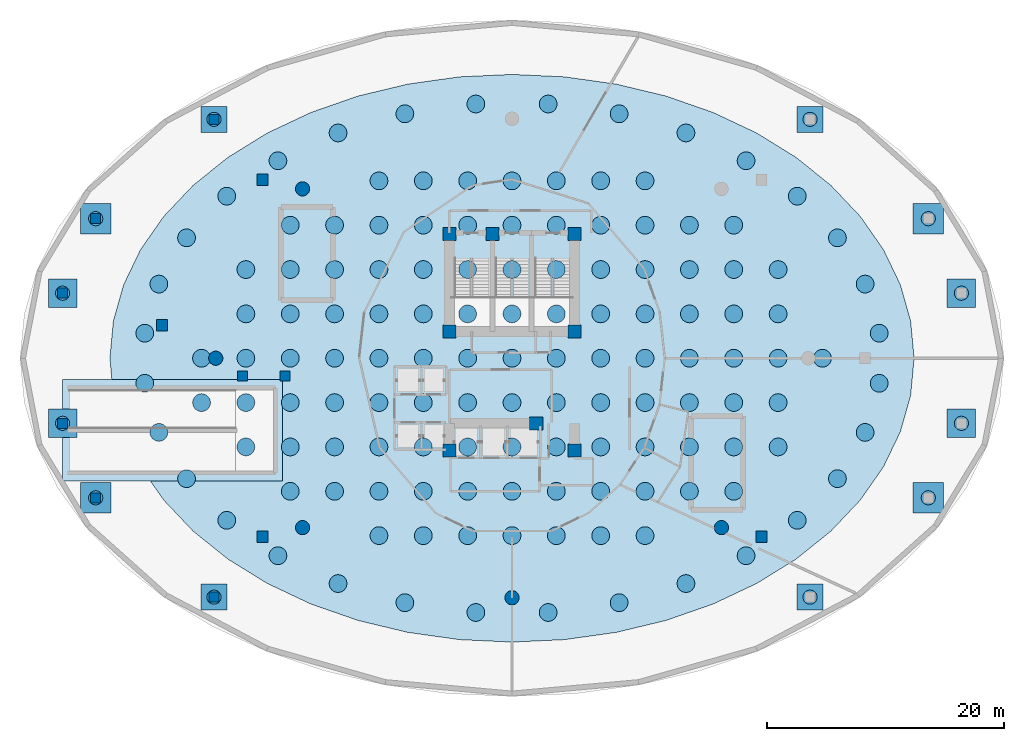
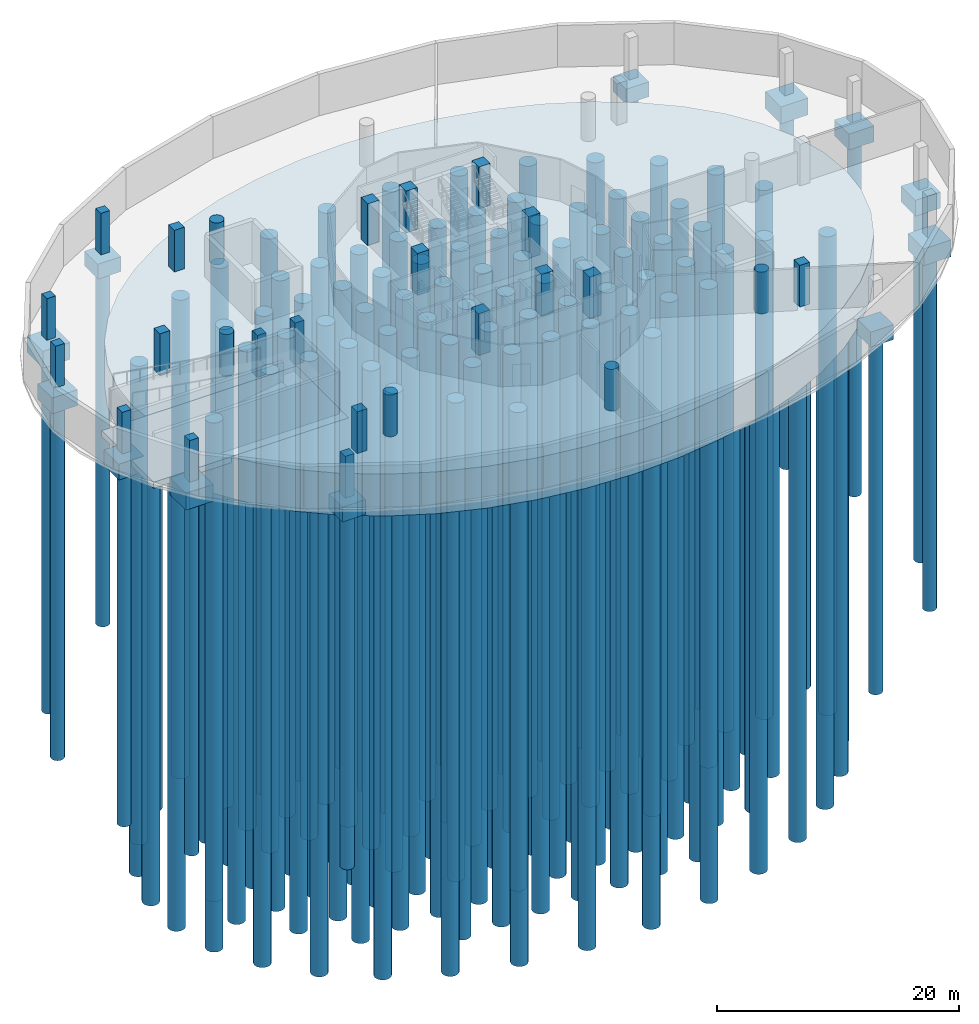
# One storey, part 1 of 9: 148 piles, 25 columns, 14 footings.
"""IFC4 building model written with IfcOpenShell, lengths in metres."""

from ifc_helpers import new_model, si_unit, direction, frame, origin, origin_2d, place, context, subcontext, project, spatial, polyline, rectangle, circle, outline, extrude, material, layer, layer_set, material_profile, profile_set, type_object, element, save


model = new_model("IFC4")

# Units and contexts
model_context = context("Model", 3, precision=1e-05, world=origin(), true_north=direction((0.0, 1.0)))
body_context = subcontext(model_context, "Body", "Model", "MODEL_VIEW")
ifc_project = project(units=[si_unit("LENGTHUNIT", "METRE"), si_unit("AREAUNIT", "SQUARE_METRE"), si_unit("VOLUMEUNIT", "CUBIC_METRE"), si_unit("PLANEANGLEUNIT", "RADIAN"), si_unit("MASSUNIT", "GRAM", prefix="KILO")], contexts=[model_context])

# Site, building, storey
site_placement = place(None, origin())
site = spatial("IfcSite", under=ifc_project, at=site_placement, CompositionType="ELEMENT")
building_placement = place(site_placement, origin())
building = spatial("IfcBuilding", under=site, at=building_placement, Name="Nuhasar Tower", CompositionType="ELEMENT")
storey_placement = place(building_placement, frame((0.0, 0.0, -9.0)))
storey = spatial("IfcBuildingStorey", under=building, at=storey_placement, Name="B2", CompositionType="ELEMENT", Elevation=-9.0)

# Footings
ifc_material_1 = material(Name="Concrete C50/60", Category="concrete")
ifc_layer_1 = layer(ifc_material_1, 4.219970703125)
ifc_layer_set_1 = layer_set([ifc_layer_1], Name="Concrete C50/60")
footing_type_1 = type_object("IfcFootingType", Name="FTG-CPRF-4220", PredefinedType="CAISSON_FOUNDATION", material=ifc_layer_set_1)
footing_1_placement = place(storey_placement, frame((0.0, 0.0, -4.5)))
element("IfcFooting", 1, at=footing_1_placement, inside=storey, type_object=footing_type_1, Name="Combined Piled Raft Foundation CPRF-01", PredefinedType="CAISSON_FOUNDATION", context=body_context, shape_type="SweptSolid", body=[
    extrude(outline(polyline([(73.0, 26.800048828125), (72.708984375, 29.93310546875), (71.841064453125, 33.011962890625), (70.412109375, 35.98388671875), (68.445068359375, 38.800048828125), (65.97412109375, 41.409912109375), (63.0419921875, 43.77099609375), (59.697998046875, 45.840087890625), (56.0, 47.5849609375), (52.010986328125, 48.972900390625), (47.800048828125, 49.98193359375), (43.43798828125, 50.594970703125), (39.0, 50.800048828125), (34.56201171875, 50.594970703125), (30.199951171875, 49.98193359375), (25.989013671875, 48.972900390625), (22.0, 47.5849609375), (18.302001953125, 45.840087890625), (14.9580078125, 43.77099609375), (12.02587890625, 41.409912109375), (9.554931640625, 38.800048828125), (7.587890625, 35.98388671875), (6.158935546875, 33.011962890625), (5.291015625, 29.93310546875), (5.0, 26.800048828125), (5.291015625, 23.6669921875), (6.158935546875, 20.587890625), (7.587890625, 17.615966796875), (9.554931640625, 14.800048828125), (12.02587890625, 12.18994140625), (14.9580078125, 9.8291015625), (18.302001953125, 7.760009765625), (22.0, 6.014892578125), (25.989013671875, 4.626953125), (30.199951171875, 3.617919921875), (34.56201171875, 3.0048828125), (39.0, 2.800048828125), (43.43798828125, 3.0048828125), (47.800048828125, 3.617919921875), (52.010986328125, 4.626953125), (56.0, 6.014892578125), (59.697998046875, 7.760009765625), (63.0419921875, 9.8291015625), (65.97412109375, 12.18994140625), (68.445068359375, 14.800048828125), (70.412109375, 17.615966796875), (71.841064453125, 20.587890625), (72.708984375, 23.6669921875), (73.0, 26.800048828125)])), origin(), (0.0, 0.0, 1.0), 4.219970703125),
])
ifc_layer_2 = layer(ifc_material_1, 1.5)
ifc_layer_set_2 = layer_set([ifc_layer_2], Name="Concrete C50/60")
footing_type_2 = type_object("IfcFootingType", Name="FTG-PC-2200X1500", PredefinedType="PILE_CAP", material=ifc_layer_set_2)
for number, where, z_axis, x_axis, name in (
    (2, (13.800048828125, 6.60009765625, -1.780029296875), (0.0, 0.0, 1.0), (1.0, 0.0, 0.0), "Podium Pile Cap PC-03"),
    (3, (64.199951171875, 6.60009765625, -1.780029296875), (0.0, 0.0, 1.0), (1.0, 0.0, 0.0), "Podium Pile Cap PC-06"),
    (4, (64.199951171875, 47.0, -1.780029296875), (0.0, 0.0, 1.0), (1.0, 0.0, 0.0), "Podium Pile Cap PC-09"),
    (5, (13.800048828125, 47.0, -1.780029296875), (0.0, 0.0, 1.0), (1.0, 0.0, 0.0), "Podium Pile Cap PC-12"),
):
    element("IfcFooting", number, at=place(storey_placement, frame(where, z_axis=z_axis, x_axis=x_axis)), inside=storey, type_object=footing_type_2, Name=name, PredefinedType="PILE_CAP", context=body_context, shape_type="SweptSolid", body=[
        extrude(rectangle(XDim=2.199951171875, YDim=2.199951171875, at=origin_2d()), origin(), (0.0, 0.0, 1.0), 1.5),
    ])
ifc_layer_3 = layer(ifc_material_1, 1.60009765625)
ifc_layer_set_3 = layer_set([ifc_layer_3], Name="Concrete C50/60")
footing_type_3 = type_object("IfcFootingType", Name="FTG-PC-2400X1600", PredefinedType="PILE_CAP", material=ifc_layer_set_3)
for number, where, z_axis, x_axis, name in (
    (6, (1.0, 21.300048828125, -1.880126953125), (0.0, 0.0, 1.0), (1.0, 0.0, 0.0), "Podium Pile Cap PC-01"),
    (7, (77.0, 21.300048828125, -1.880126953125), (0.0, 0.0, 1.0), (1.0, 0.0, 0.0), "Podium Pile Cap PC-04"),
    (8, (77.0, 32.300048828125, -1.880126953125), (0.0, 0.0, 1.0), (1.0, 0.0, 0.0), "Podium Pile Cap PC-07"),
    (9, (1.0, 32.300048828125, -1.880126953125), (0.0, 0.0, 1.0), (1.0, 0.0, 0.0), "Podium Pile Cap PC-10"),
):
    element("IfcFooting", number, at=place(storey_placement, frame(where, z_axis=z_axis, x_axis=x_axis)), inside=storey, type_object=footing_type_3, Name=name, PredefinedType="PILE_CAP", context=body_context, shape_type="SweptSolid", body=[
        extrude(rectangle(XDim=2.39990234375, YDim=2.39990234375, at=origin_2d()), origin(), (0.0, 0.0, 1.0), 1.60009765625),
    ])
ifc_layer_4 = layer(ifc_material_1, 1.699951171875)
ifc_layer_set_4 = layer_set([ifc_layer_4], Name="Concrete C50/60")
footing_type_4 = type_object("IfcFootingType", Name="FTG-PC-2600X1700", PredefinedType="PILE_CAP", material=ifc_layer_set_4)
for number, where, z_axis, x_axis, name in (
    (10, (3.800048828125, 15.0, -1.97998046875), (0.0, 0.0, 1.0), (1.0, 0.0, 0.0), "Podium Pile Cap PC-02"),
    (11, (74.199951171875, 15.0, -1.97998046875), (0.0, 0.0, 1.0), (1.0, 0.0, 0.0), "Podium Pile Cap PC-05"),
    (12, (74.199951171875, 38.60009765625, -1.97998046875), (0.0, 0.0, 1.0), (1.0, 0.0, 0.0), "Podium Pile Cap PC-08"),
    (13, (3.800048828125, 38.60009765625, -1.97998046875), (0.0, 0.0, 1.0), (1.0, 0.0, 0.0), "Podium Pile Cap PC-11"),
):
    element("IfcFooting", number, at=place(storey_placement, frame(where, z_axis=z_axis, x_axis=x_axis)), inside=storey, type_object=footing_type_4, Name=name, PredefinedType="PILE_CAP", context=body_context, shape_type="SweptSolid", body=[
        extrude(rectangle(XDim=2.60009765625, YDim=2.60009765625, at=origin_2d()), origin(), (0.0, 0.0, 1.0), 1.699951171875),
    ])
ifc_material_2 = material(Name="Concrete C40/50", Category="concrete")
ifc_layer_5 = layer(ifc_material_2, 0.60009765625)
ifc_layer_set_5 = layer_set([ifc_layer_5], Name="Concrete C40/50")
footing_type_5 = type_object("IfcFootingType", Name="FTG-STRIP-600", PredefinedType="STRIP_FOOTING", material=ifc_layer_set_5)
footing_2_placement = place(storey_placement, frame((0.0, 0.0, -0.8798828125)))
element("IfcFooting", 14, at=footing_2_placement, inside=storey, type_object=footing_type_5, Name="Substructure Vehicular Ramp Mat Strip Footing", PredefinedType="STRIP_FOOTING", context=body_context, shape_type="SweptSolid", body=[
    extrude(outline(polyline([(1.0, 16.39990234375), (19.60009765625, 16.39990234375), (19.60009765625, 25.0), (1.0, 25.0), (1.0, 16.39990234375)])), origin(), (0.0, 0.0, 1.0), 0.599853515625),
])

# Piles
ifc_material_profile_1 = material_profile(ifc_material_1, circle(Radius=0.75, at=origin_2d()), Name="PILE1500")
ifc_profile_set_1 = profile_set([ifc_material_profile_1], Name="Concrete C50/60")
pile_type_1 = type_object("IfcPileType", Name="PILE-BORED-1500", PredefinedType="BORED", material=ifc_profile_set_1)
for number, where, z_axis, x_axis, name in (
    (15, (70.050048828125, 28.9169921875, -4.199951171875), (0.0, 0.0, -1.0), (1.0, 0.0, 0.0), "Bored Foundation Pile PL-001"),
    (16, (68.85693359375, 33.070068359375, -4.199951171875), (0.0, 0.0, -1.0), (1.0, 0.0, 0.0), "Bored Foundation Pile PL-002"),
    (17, (66.51611328125, 36.98193359375, -4.199951171875), (0.0, 0.0, -1.0), (1.0, 0.0, 0.0), "Bored Foundation Pile PL-003"),
    (18, (63.117919921875, 40.5029296875, -4.199951171875), (0.0, 0.0, -1.0), (1.0, 0.0, 0.0), "Bored Foundation Pile PL-004"),
    (19, (58.79296875, 43.4970703125, -4.199951171875), (0.0, 0.0, -1.0), (1.0, 0.0, 0.0), "Bored Foundation Pile PL-005"),
    (20, (53.7080078125, 45.84912109375, -4.199951171875), (0.0, 0.0, -1.0), (1.0, 0.0, 0.0), "Bored Foundation Pile PL-006"),
    (21, (48.056884765625, 47.469970703125, -4.199951171875), (0.0, 0.0, -1.0), (1.0, 0.0, 0.0), "Bored Foundation Pile PL-007"),
    (22, (42.05810546875, 48.2958984375, -4.199951171875), (0.0, 0.0, -1.0), (1.0, 0.0, 0.0), "Bored Foundation Pile PL-008"),
    (23, (35.94189453125, 48.2958984375, -4.199951171875), (0.0, 0.0, -1.0), (1.0, 0.0, 0.0), "Bored Foundation Pile PL-009"),
    (24, (29.943115234375, 47.469970703125, -4.199951171875), (0.0, 0.0, -1.0), (1.0, 0.0, 0.0), "Bored Foundation Pile PL-010"),
    (25, (24.2919921875, 45.84912109375, -4.199951171875), (0.0, 0.0, -1.0), (1.0, 0.0, 0.0), "Bored Foundation Pile PL-011"),
    (26, (19.20703125, 43.4970703125, -4.199951171875), (0.0, 0.0, -1.0), (1.0, 0.0, 0.0), "Bored Foundation Pile PL-012"),
    (27, (14.882080078125, 40.5029296875, -4.199951171875), (0.0, 0.0, -1.0), (1.0, 0.0, 0.0), "Bored Foundation Pile PL-013"),
    (28, (11.48388671875, 36.98193359375, -4.199951171875), (0.0, 0.0, -1.0), (1.0, 0.0, 0.0), "Bored Foundation Pile PL-014"),
    (29, (9.14306640625, 33.070068359375, -4.199951171875), (0.0, 0.0, -1.0), (1.0, 0.0, 0.0), "Bored Foundation Pile PL-015"),
    (30, (7.949951171875, 28.9169921875, -4.199951171875), (0.0, 0.0, -1.0), (1.0, 0.0, 0.0), "Bored Foundation Pile PL-016"),
    (31, (7.949951171875, 24.68310546875, -4.199951171875), (0.0, 0.0, -1.0), (1.0, 0.0, 0.0), "Bored Foundation Pile PL-017"),
    (32, (9.14306640625, 20.530029296875, -4.199951171875), (0.0, 0.0, -1.0), (1.0, 0.0, 0.0), "Bored Foundation Pile PL-018"),
    (33, (11.48388671875, 16.617919921875, -4.199951171875), (0.0, 0.0, -1.0), (1.0, 0.0, 0.0), "Bored Foundation Pile PL-019"),
    (34, (14.882080078125, 13.096923828125, -4.199951171875), (0.0, 0.0, -1.0), (1.0, 0.0, 0.0), "Bored Foundation Pile PL-020"),
    (35, (19.20703125, 10.10302734375, -4.199951171875), (0.0, 0.0, -1.0), (1.0, 0.0, 0.0), "Bored Foundation Pile PL-021"),
    (36, (24.2919921875, 7.7509765625, -4.199951171875), (0.0, 0.0, -1.0), (1.0, 0.0, 0.0), "Bored Foundation Pile PL-022"),
    (37, (29.943115234375, 6.1298828125, -4.199951171875), (0.0, 0.0, -1.0), (1.0, 0.0, 0.0), "Bored Foundation Pile PL-023"),
    (38, (35.94189453125, 5.303955078125, -4.199951171875), (0.0, 0.0, -1.0), (1.0, 0.0, 0.0), "Bored Foundation Pile PL-024"),
    (39, (42.05810546875, 5.303955078125, -4.199951171875), (0.0, 0.0, -1.0), (1.0, 0.0, 0.0), "Bored Foundation Pile PL-025"),
    (40, (48.056884765625, 6.1298828125, -4.199951171875), (0.0, 0.0, -1.0), (1.0, 0.0, 0.0), "Bored Foundation Pile PL-026"),
    (41, (53.7080078125, 7.7509765625, -4.199951171875), (0.0, 0.0, -1.0), (1.0, 0.0, 0.0), "Bored Foundation Pile PL-027"),
    (42, (58.79296875, 10.10302734375, -4.199951171875), (0.0, 0.0, -1.0), (1.0, 0.0, 0.0), "Bored Foundation Pile PL-028"),
    (43, (63.117919921875, 13.096923828125, -4.199951171875), (0.0, 0.0, -1.0), (1.0, 0.0, 0.0), "Bored Foundation Pile PL-029"),
    (44, (66.51611328125, 16.617919921875, -4.199951171875), (0.0, 0.0, -1.0), (1.0, 0.0, 0.0), "Bored Foundation Pile PL-030"),
    (45, (68.85693359375, 20.530029296875, -4.199951171875), (0.0, 0.0, -1.0), (1.0, 0.0, 0.0), "Bored Foundation Pile PL-031"),
    (46, (70.050048828125, 24.68310546875, -4.199951171875), (0.0, 0.0, -1.0), (1.0, 0.0, 0.0), "Bored Foundation Pile PL-032"),
    (47, (39.0, 26.800048828125, -4.199951171875), (0.0, 0.0, -1.0), (1.0, 0.0, 0.0), "Bored Foundation Pile PL-033"),
    (48, (35.25, 26.800048828125, -4.199951171875), (0.0, 0.0, -1.0), (1.0, 0.0, 0.0), "Bored Foundation Pile PL-034"),
    (49, (42.75, 26.800048828125, -4.199951171875), (0.0, 0.0, -1.0), (1.0, 0.0, 0.0), "Bored Foundation Pile PL-035"),
    (50, (39.0, 23.050048828125, -4.199951171875), (0.0, 0.0, -1.0), (1.0, 0.0, 0.0), "Bored Foundation Pile PL-036"),
    (51, (39.0, 30.550048828125, -4.199951171875), (0.0, 0.0, -1.0), (1.0, 0.0, 0.0), "Bored Foundation Pile PL-037"),
    (52, (35.25, 23.050048828125, -4.199951171875), (0.0, 0.0, -1.0), (1.0, 0.0, 0.0), "Bored Foundation Pile PL-038"),
    (53, (35.25, 30.550048828125, -4.199951171875), (0.0, 0.0, -1.0), (1.0, 0.0, 0.0), "Bored Foundation Pile PL-039"),
    (54, (42.75, 23.050048828125, -4.199951171875), (0.0, 0.0, -1.0), (1.0, 0.0, 0.0), "Bored Foundation Pile PL-040"),
    (55, (42.75, 30.550048828125, -4.199951171875), (0.0, 0.0, -1.0), (1.0, 0.0, 0.0), "Bored Foundation Pile PL-041"),
    (56, (31.5, 26.800048828125, -4.199951171875), (0.0, 0.0, -1.0), (1.0, 0.0, 0.0), "Bored Foundation Pile PL-042"),
    (57, (46.5, 26.800048828125, -4.199951171875), (0.0, 0.0, -1.0), (1.0, 0.0, 0.0), "Bored Foundation Pile PL-043"),
    (58, (31.5, 23.050048828125, -4.199951171875), (0.0, 0.0, -1.0), (1.0, 0.0, 0.0), "Bored Foundation Pile PL-044"),
    (59, (31.5, 30.550048828125, -4.199951171875), (0.0, 0.0, -1.0), (1.0, 0.0, 0.0), "Bored Foundation Pile PL-045"),
    (60, (46.5, 23.050048828125, -4.199951171875), (0.0, 0.0, -1.0), (1.0, 0.0, 0.0), "Bored Foundation Pile PL-046"),
    (61, (46.5, 30.550048828125, -4.199951171875), (0.0, 0.0, -1.0), (1.0, 0.0, 0.0), "Bored Foundation Pile PL-047"),
    (62, (39.0, 34.300048828125, -4.199951171875), (0.0, 0.0, -1.0), (1.0, 0.0, 0.0), "Bored Foundation Pile PL-048"),
    (63, (39.0, 19.300048828125, -4.199951171875), (0.0, 0.0, -1.0), (1.0, 0.0, 0.0), "Bored Foundation Pile PL-049"),
    (64, (27.75, 26.800048828125, -4.199951171875), (0.0, 0.0, -1.0), (1.0, 0.0, 0.0), "Bored Foundation Pile PL-050"),
    (65, (50.25, 26.800048828125, -4.199951171875), (0.0, 0.0, -1.0), (1.0, 0.0, 0.0), "Bored Foundation Pile PL-051"),
    (66, (35.25, 34.300048828125, -4.199951171875), (0.0, 0.0, -1.0), (1.0, 0.0, 0.0), "Bored Foundation Pile PL-052"),
    (67, (42.75, 34.300048828125, -4.199951171875), (0.0, 0.0, -1.0), (1.0, 0.0, 0.0), "Bored Foundation Pile PL-053"),
    (68, (35.25, 19.300048828125, -4.199951171875), (0.0, 0.0, -1.0), (1.0, 0.0, 0.0), "Bored Foundation Pile PL-054"),
    (69, (42.75, 19.300048828125, -4.199951171875), (0.0, 0.0, -1.0), (1.0, 0.0, 0.0), "Bored Foundation Pile PL-055"),
    (70, (27.75, 23.050048828125, -4.199951171875), (0.0, 0.0, -1.0), (1.0, 0.0, 0.0), "Bored Foundation Pile PL-056"),
    (71, (27.75, 30.550048828125, -4.199951171875), (0.0, 0.0, -1.0), (1.0, 0.0, 0.0), "Bored Foundation Pile PL-057"),
    (72, (50.25, 23.050048828125, -4.199951171875), (0.0, 0.0, -1.0), (1.0, 0.0, 0.0), "Bored Foundation Pile PL-058"),
    (73, (50.25, 30.550048828125, -4.199951171875), (0.0, 0.0, -1.0), (1.0, 0.0, 0.0), "Bored Foundation Pile PL-059"),
    (74, (31.5, 34.300048828125, -4.199951171875), (0.0, 0.0, -1.0), (1.0, 0.0, 0.0), "Bored Foundation Pile PL-060"),
    (75, (46.5, 34.300048828125, -4.199951171875), (0.0, 0.0, -1.0), (1.0, 0.0, 0.0), "Bored Foundation Pile PL-061"),
    (76, (31.5, 19.300048828125, -4.199951171875), (0.0, 0.0, -1.0), (1.0, 0.0, 0.0), "Bored Foundation Pile PL-062"),
    (77, (46.5, 19.300048828125, -4.199951171875), (0.0, 0.0, -1.0), (1.0, 0.0, 0.0), "Bored Foundation Pile PL-063"),
    (78, (24.0, 26.800048828125, -4.199951171875), (0.0, 0.0, -1.0), (1.0, 0.0, 0.0), "Bored Foundation Pile PL-064"),
    (79, (54.0, 26.800048828125, -4.199951171875), (0.0, 0.0, -1.0), (1.0, 0.0, 0.0), "Bored Foundation Pile PL-065"),
    (80, (27.75, 34.300048828125, -4.199951171875), (0.0, 0.0, -1.0), (1.0, 0.0, 0.0), "Bored Foundation Pile PL-066"),
    (81, (50.25, 34.300048828125, -4.199951171875), (0.0, 0.0, -1.0), (1.0, 0.0, 0.0), "Bored Foundation Pile PL-067"),
    (82, (27.75, 19.300048828125, -4.199951171875), (0.0, 0.0, -1.0), (1.0, 0.0, 0.0), "Bored Foundation Pile PL-068"),
    (83, (50.25, 19.300048828125, -4.199951171875), (0.0, 0.0, -1.0), (1.0, 0.0, 0.0), "Bored Foundation Pile PL-069"),
    (84, (24.0, 23.050048828125, -4.199951171875), (0.0, 0.0, -1.0), (1.0, 0.0, 0.0), "Bored Foundation Pile PL-070"),
    (85, (24.0, 30.550048828125, -4.199951171875), (0.0, 0.0, -1.0), (1.0, 0.0, 0.0), "Bored Foundation Pile PL-071"),
    (86, (54.0, 23.050048828125, -4.199951171875), (0.0, 0.0, -1.0), (1.0, 0.0, 0.0), "Bored Foundation Pile PL-072"),
    (87, (54.0, 30.550048828125, -4.199951171875), (0.0, 0.0, -1.0), (1.0, 0.0, 0.0), "Bored Foundation Pile PL-073"),
    (88, (39.0, 38.050048828125, -4.199951171875), (0.0, 0.0, -1.0), (1.0, 0.0, 0.0), "Bored Foundation Pile PL-074"),
    (89, (39.0, 15.550048828125, -4.199951171875), (0.0, 0.0, -1.0), (1.0, 0.0, 0.0), "Bored Foundation Pile PL-075"),
    (90, (35.25, 38.050048828125, -4.199951171875), (0.0, 0.0, -1.0), (1.0, 0.0, 0.0), "Bored Foundation Pile PL-076"),
    (91, (42.75, 38.050048828125, -4.199951171875), (0.0, 0.0, -1.0), (1.0, 0.0, 0.0), "Bored Foundation Pile PL-077"),
    (92, (35.25, 15.550048828125, -4.199951171875), (0.0, 0.0, -1.0), (1.0, 0.0, 0.0), "Bored Foundation Pile PL-078"),
    (93, (42.75, 15.550048828125, -4.199951171875), (0.0, 0.0, -1.0), (1.0, 0.0, 0.0), "Bored Foundation Pile PL-079"),
    (94, (31.5, 38.050048828125, -4.199951171875), (0.0, 0.0, -1.0), (1.0, 0.0, 0.0), "Bored Foundation Pile PL-080"),
    (95, (46.5, 38.050048828125, -4.199951171875), (0.0, 0.0, -1.0), (1.0, 0.0, 0.0), "Bored Foundation Pile PL-081"),
    (96, (31.5, 15.550048828125, -4.199951171875), (0.0, 0.0, -1.0), (1.0, 0.0, 0.0), "Bored Foundation Pile PL-082"),
    (97, (46.5, 15.550048828125, -4.199951171875), (0.0, 0.0, -1.0), (1.0, 0.0, 0.0), "Bored Foundation Pile PL-083"),
    (98, (24.0, 34.300048828125, -4.199951171875), (0.0, 0.0, -1.0), (1.0, 0.0, 0.0), "Bored Foundation Pile PL-084"),
    (99, (54.0, 34.300048828125, -4.199951171875), (0.0, 0.0, -1.0), (1.0, 0.0, 0.0), "Bored Foundation Pile PL-085"),
    (100, (24.0, 19.300048828125, -4.199951171875), (0.0, 0.0, -1.0), (1.0, 0.0, 0.0), "Bored Foundation Pile PL-086"),
    (101, (54.0, 19.300048828125, -4.199951171875), (0.0, 0.0, -1.0), (1.0, 0.0, 0.0), "Bored Foundation Pile PL-087"),
    (102, (20.25, 26.800048828125, -4.199951171875), (0.0, 0.0, -1.0), (1.0, 0.0, 0.0), "Bored Foundation Pile PL-088"),
    (103, (57.75, 26.800048828125, -4.199951171875), (0.0, 0.0, -1.0), (1.0, 0.0, 0.0), "Bored Foundation Pile PL-089"),
    (104, (20.25, 23.050048828125, -4.199951171875), (0.0, 0.0, -1.0), (1.0, 0.0, 0.0), "Bored Foundation Pile PL-090"),
    (105, (20.25, 30.550048828125, -4.199951171875), (0.0, 0.0, -1.0), (1.0, 0.0, 0.0), "Bored Foundation Pile PL-091"),
    (106, (57.75, 23.050048828125, -4.199951171875), (0.0, 0.0, -1.0), (1.0, 0.0, 0.0), "Bored Foundation Pile PL-092"),
    (107, (57.75, 30.550048828125, -4.199951171875), (0.0, 0.0, -1.0), (1.0, 0.0, 0.0), "Bored Foundation Pile PL-093"),
    (108, (27.75, 38.050048828125, -4.199951171875), (0.0, 0.0, -1.0), (1.0, 0.0, 0.0), "Bored Foundation Pile PL-094"),
    (109, (50.25, 38.050048828125, -4.199951171875), (0.0, 0.0, -1.0), (1.0, 0.0, 0.0), "Bored Foundation Pile PL-095"),
    (110, (27.75, 15.550048828125, -4.199951171875), (0.0, 0.0, -1.0), (1.0, 0.0, 0.0), "Bored Foundation Pile PL-096"),
    (111, (50.25, 15.550048828125, -4.199951171875), (0.0, 0.0, -1.0), (1.0, 0.0, 0.0), "Bored Foundation Pile PL-097"),
    (112, (20.25, 34.300048828125, -4.199951171875), (0.0, 0.0, -1.0), (1.0, 0.0, 0.0), "Bored Foundation Pile PL-098"),
    (113, (57.75, 34.300048828125, -4.199951171875), (0.0, 0.0, -1.0), (1.0, 0.0, 0.0), "Bored Foundation Pile PL-099"),
    (114, (20.25, 19.300048828125, -4.199951171875), (0.0, 0.0, -1.0), (1.0, 0.0, 0.0), "Bored Foundation Pile PL-100"),
    (115, (57.75, 19.300048828125, -4.199951171875), (0.0, 0.0, -1.0), (1.0, 0.0, 0.0), "Bored Foundation Pile PL-101"),
    (116, (39.0, 41.800048828125, -4.199951171875), (0.0, 0.0, -1.0), (1.0, 0.0, 0.0), "Bored Foundation Pile PL-102"),
    (117, (39.0, 11.800048828125, -4.199951171875), (0.0, 0.0, -1.0), (1.0, 0.0, 0.0), "Bored Foundation Pile PL-103"),
    (118, (24.0, 15.550048828125, -4.199951171875), (0.0, 0.0, -1.0), (1.0, 0.0, 0.0), "Bored Foundation Pile PL-104"),
    (119, (24.0, 38.050048828125, -4.199951171875), (0.0, 0.0, -1.0), (1.0, 0.0, 0.0), "Bored Foundation Pile PL-105"),
    (120, (54.0, 15.550048828125, -4.199951171875), (0.0, 0.0, -1.0), (1.0, 0.0, 0.0), "Bored Foundation Pile PL-106"),
    (121, (54.0, 38.050048828125, -4.199951171875), (0.0, 0.0, -1.0), (1.0, 0.0, 0.0), "Bored Foundation Pile PL-107"),
    (122, (16.5, 26.800048828125, -4.199951171875), (0.0, 0.0, -1.0), (1.0, 0.0, 0.0), "Bored Foundation Pile PL-108"),
    (123, (61.5, 26.800048828125, -4.199951171875), (0.0, 0.0, -1.0), (1.0, 0.0, 0.0), "Bored Foundation Pile PL-109"),
    (124, (35.25, 41.800048828125, -4.199951171875), (0.0, 0.0, -1.0), (1.0, 0.0, 0.0), "Bored Foundation Pile PL-110"),
    (125, (42.75, 41.800048828125, -4.199951171875), (0.0, 0.0, -1.0), (1.0, 0.0, 0.0), "Bored Foundation Pile PL-111"),
    (126, (35.25, 11.800048828125, -4.199951171875), (0.0, 0.0, -1.0), (1.0, 0.0, 0.0), "Bored Foundation Pile PL-112"),
    (127, (42.75, 11.800048828125, -4.199951171875), (0.0, 0.0, -1.0), (1.0, 0.0, 0.0), "Bored Foundation Pile PL-113"),
    (128, (16.5, 23.050048828125, -4.199951171875), (0.0, 0.0, -1.0), (1.0, 0.0, 0.0), "Bored Foundation Pile PL-114"),
    (129, (16.5, 30.550048828125, -4.199951171875), (0.0, 0.0, -1.0), (1.0, 0.0, 0.0), "Bored Foundation Pile PL-115"),
    (130, (61.5, 23.050048828125, -4.199951171875), (0.0, 0.0, -1.0), (1.0, 0.0, 0.0), "Bored Foundation Pile PL-116"),
    (131, (61.5, 30.550048828125, -4.199951171875), (0.0, 0.0, -1.0), (1.0, 0.0, 0.0), "Bored Foundation Pile PL-117"),
    (132, (31.5, 41.800048828125, -4.199951171875), (0.0, 0.0, -1.0), (1.0, 0.0, 0.0), "Bored Foundation Pile PL-118"),
    (133, (46.5, 41.800048828125, -4.199951171875), (0.0, 0.0, -1.0), (1.0, 0.0, 0.0), "Bored Foundation Pile PL-119"),
    (134, (31.5, 11.800048828125, -4.199951171875), (0.0, 0.0, -1.0), (1.0, 0.0, 0.0), "Bored Foundation Pile PL-120"),
    (135, (46.5, 11.800048828125, -4.199951171875), (0.0, 0.0, -1.0), (1.0, 0.0, 0.0), "Bored Foundation Pile PL-121"),
    (136, (27.75, 41.800048828125, -4.199951171875), (0.0, 0.0, -1.0), (1.0, 0.0, 0.0), "Bored Foundation Pile PL-122"),
    (137, (50.25, 41.800048828125, -4.199951171875), (0.0, 0.0, -1.0), (1.0, 0.0, 0.0), "Bored Foundation Pile PL-123"),
    (138, (27.75, 11.800048828125, -4.199951171875), (0.0, 0.0, -1.0), (1.0, 0.0, 0.0), "Bored Foundation Pile PL-124"),
    (139, (50.25, 11.800048828125, -4.199951171875), (0.0, 0.0, -1.0), (1.0, 0.0, 0.0), "Bored Foundation Pile PL-125"),
    (140, (16.5, 19.300048828125, -4.199951171875), (0.0, 0.0, -1.0), (1.0, 0.0, 0.0), "Bored Foundation Pile PL-126"),
    (141, (16.5, 34.300048828125, -4.199951171875), (0.0, 0.0, -1.0), (1.0, 0.0, 0.0), "Bored Foundation Pile PL-127"),
    (142, (61.5, 19.300048828125, -4.199951171875), (0.0, 0.0, -1.0), (1.0, 0.0, 0.0), "Bored Foundation Pile PL-128"),
    (143, (61.5, 34.300048828125, -4.199951171875), (0.0, 0.0, -1.0), (1.0, 0.0, 0.0), "Bored Foundation Pile PL-129"),
    (144, (20.25, 38.050048828125, -4.199951171875), (0.0, 0.0, -1.0), (1.0, 0.0, 0.0), "Bored Foundation Pile PL-130"),
    (145, (57.75, 38.050048828125, -4.199951171875), (0.0, 0.0, -1.0), (1.0, 0.0, 0.0), "Bored Foundation Pile PL-131"),
    (146, (20.25, 15.550048828125, -4.199951171875), (0.0, 0.0, -1.0), (1.0, 0.0, 0.0), "Bored Foundation Pile PL-132"),
    (147, (57.75, 15.550048828125, -4.199951171875), (0.0, 0.0, -1.0), (1.0, 0.0, 0.0), "Bored Foundation Pile PL-133"),
    (148, (12.75, 26.800048828125, -4.199951171875), (0.0, 0.0, -1.0), (1.0, 0.0, 0.0), "Bored Foundation Pile PL-134"),
    (149, (65.25, 26.800048828125, -4.199951171875), (0.0, 0.0, -1.0), (1.0, 0.0, 0.0), "Bored Foundation Pile PL-135"),
    (150, (12.75, 23.050048828125, -4.199951171875), (0.0, 0.0, -1.0), (1.0, 0.0, 0.0), "Bored Foundation Pile PL-136"),
):
    element("IfcPile", number, at=place(storey_placement, frame(where, z_axis=z_axis, x_axis=x_axis)), inside=storey, type_object=pile_type_1, Name=name, PredefinedType="BORED", context=body_context, shape_type="SweptSolid", body=[
        extrude(circle(Radius=0.75, at=origin_2d()), origin(), (0.0, 0.0, 1.0), 48.300048828125),
    ])
ifc_material_profile_2 = material_profile(ifc_material_1, circle(Radius=0.60009765625, at=origin_2d()), Name="PILE1200")
ifc_profile_set_2 = profile_set([ifc_material_profile_2], Name="Concrete C50/60")
pile_type_2 = type_object("IfcPileType", Name="PILE-FRICTION-1200", PredefinedType="FRICTION", material=ifc_profile_set_2)
for number, where, z_axis, x_axis, name in (
    (151, (1.0, 21.300048828125, -1.580078125), (0.0, 0.0, -1.0), (1.0, 0.0, 0.0), "Bored Foundation Pile PL-137"),
    (152, (3.800048828125, 15.0, -1.679931640625), (0.0, 0.0, -1.0), (1.0, 0.0, 0.0), "Bored Foundation Pile PL-138"),
    (153, (13.800048828125, 6.60009765625, -1.47998046875), (0.0, 0.0, -1.0), (1.0, 0.0, 0.0), "Bored Foundation Pile PL-139"),
    (154, (77.0, 21.300048828125, -1.580078125), (0.0, 0.0, -1.0), (1.0, 0.0, 0.0), "Bored Foundation Pile PL-140"),
    (155, (74.199951171875, 15.0, -1.679931640625), (0.0, 0.0, -1.0), (1.0, 0.0, 0.0), "Bored Foundation Pile PL-141"),
    (156, (64.199951171875, 6.60009765625, -1.47998046875), (0.0, 0.0, -1.0), (1.0, 0.0, 0.0), "Bored Foundation Pile PL-142"),
    (157, (77.0, 32.300048828125, -1.580078125), (0.0, 0.0, -1.0), (1.0, 0.0, 0.0), "Bored Foundation Pile PL-143"),
    (158, (74.199951171875, 38.60009765625, -1.679931640625), (0.0, 0.0, -1.0), (1.0, 0.0, 0.0), "Bored Foundation Pile PL-144"),
    (159, (64.199951171875, 47.0, -1.47998046875), (0.0, 0.0, -1.0), (1.0, 0.0, 0.0), "Bored Foundation Pile PL-145"),
    (160, (1.0, 32.300048828125, -1.580078125), (0.0, 0.0, -1.0), (1.0, 0.0, 0.0), "Bored Foundation Pile PL-146"),
    (161, (3.800048828125, 38.60009765625, -1.679931640625), (0.0, 0.0, -1.0), (1.0, 0.0, 0.0), "Bored Foundation Pile PL-147"),
    (162, (13.800048828125, 47.0, -1.47998046875), (0.0, 0.0, -1.0), (1.0, 0.0, 0.0), "Bored Foundation Pile PL-148"),
):
    element("IfcPile", number, at=place(storey_placement, frame(where, z_axis=z_axis, x_axis=x_axis)), inside=storey, type_object=pile_type_2, Name=name, PredefinedType="FRICTION", context=body_context, shape_type="SweptSolid", body=[
        extrude(circle(Radius=0.60009765625, at=origin_2d()), origin(), (0.0, 0.0, 1.0), 36.0),
    ])

# Columns
ifc_material_3 = material(Name="Concrete C80/95", Category="concrete")
ifc_material_profile_3 = material_profile(ifc_material_3, circle(Radius=0.60009765625, at=origin_2d()), Name="CFT1200")
ifc_profile_set_3 = profile_set([ifc_material_profile_3], Name="Concrete C80/95")
column_type_1 = type_object("IfcColumnType", Name="COL-CFT-1200", PredefinedType="COLUMN", material=ifc_profile_set_3)
for number, where, z_axis, x_axis, name in (
    (163, (21.287109375, 41.118896484375, 0.0), (0.0, 0.0, 1.0), (1.0, 0.0, 0.0), "B2 Perimeter Composite Column TC-10"),
    (164, (13.949951171875, 26.800048828125, 0.0), (0.0, 0.0, 1.0), (1.0, 0.0, 0.0), "B2 Perimeter Composite Column TC-13"),
    (165, (21.287109375, 12.48095703125, 0.0), (0.0, 0.0, 1.0), (1.0, 0.0, 0.0), "B2 Perimeter Composite Column TC-16"),
    (166, (39.0, 6.550048828125, 0.0), (0.0, 0.0, 1.0), (1.0, 0.0, 0.0), "B2 Perimeter Composite Column TC-19"),
    (167, (56.712890625, 12.48095703125, 0.0), (0.0, 0.0, 1.0), (1.0, 0.0, 0.0), "B2 Perimeter Composite Column TC-22"),
):
    element("IfcColumn", number, at=place(storey_placement, frame(where, z_axis=z_axis, x_axis=x_axis)), inside=storey, type_object=column_type_1, Name=name, PredefinedType="COLUMN", context=body_context, shape_type="SweptSolid", body=[
        extrude(circle(Radius=0.60009765625, at=origin_2d()), origin(), (0.0, 0.0, 1.0), 4.199951171875),
    ])
ifc_material_profile_4 = material_profile(ifc_material_1, rectangle(XDim=0.85009765625, YDim=0.85009765625, at=origin_2d()), Name="RC850X850")
ifc_profile_set_4 = profile_set([ifc_material_profile_4], Name="Concrete C50/60")
column_type_2 = type_object("IfcColumnType", Name="COL-POD-850", PredefinedType="COLUMN", material=ifc_profile_set_4)
for number, where, z_axis, x_axis, name in (
    (168, (1.0, 21.300048828125, 0.0), (0.0, 0.0, 1.0), (1.0, 0.0, 0.0), "B2 Substructure Cap Column SC-01"),
    (169, (3.800048828125, 15.0, 0.0), (0.0, 0.0, 1.0), (1.0, 0.0, 0.0), "B2 Substructure Cap Column SC-02"),
    (170, (13.800048828125, 6.60009765625, 0.0), (0.0, 0.0, 1.0), (1.0, 0.0, 0.0), "B2 Substructure Cap Column SC-03"),
    (171, (1.0, 32.300048828125, 0.0), (0.0, 0.0, 1.0), (1.0, 0.0, 0.0), "B2 Substructure Cap Column SC-10"),
    (172, (3.800048828125, 38.60009765625, 0.0), (0.0, 0.0, 1.0), (1.0, 0.0, 0.0), "B2 Substructure Cap Column SC-11"),
    (173, (13.800048828125, 47.0, 0.0), (0.0, 0.0, 1.0), (1.0, 0.0, 0.0), "B2 Substructure Cap Column SC-12"),
    (174, (16.199951171875, 25.300048828125, 0.0), (0.0, 0.0, 1.0), (1.0, 0.0, 0.0), "B2 Ring Spandrel Bend Column RS-01"),
    (175, (19.800048828125, 25.300048828125, 0.0), (0.0, 0.0, 1.0), (1.0, 0.0, 0.0), "B2 Ring Spandrel Bend Column RS-02"),
):
    element("IfcColumn", number, at=place(storey_placement, frame(where, z_axis=z_axis, x_axis=x_axis)), inside=storey, type_object=column_type_2, Name=name, PredefinedType="COLUMN", context=body_context, shape_type="SweptSolid", body=[
        extrude(rectangle(XDim=0.85009765625, YDim=0.85009765625, at=origin_2d()), origin(), (0.0, 0.0, 1.0), 4.199951171875),
    ])
ifc_material_4 = material(Name="Concrete C60/75", Category="concrete")
ifc_material_profile_5 = material_profile(ifc_material_4, rectangle(XDim=0.949951171875, YDim=0.949951171875, at=origin_2d()), Name="RC950X950")
ifc_profile_set_5 = profile_set([ifc_material_profile_5], Name="Concrete C60/75")
column_type_3 = type_object("IfcColumnType", Name="COL-POD-950", PredefinedType="COLUMN", material=ifc_profile_set_5)
for number, where, z_axis, x_axis, name in (
    (176, (17.89306640625, 41.89697265625, 0.0), (0.0, 0.0, 1.0), (1.0, 0.0, 0.0), "B2 Podium Perimeter Column PC-03"),
    (177, (9.405029296875, 29.5869140625, 0.0), (0.0, 0.0, 1.0), (1.0, 0.0, 0.0), "B2 Podium Perimeter Column PC-04"),
    (178, (17.89306640625, 11.702880859375, 0.0), (0.0, 0.0, 1.0), (1.0, 0.0, 0.0), "B2 Podium Perimeter Column PC-05"),
    (179, (60.10693359375, 11.702880859375, 0.0), (0.0, 0.0, 1.0), (1.0, 0.0, 0.0), "B2 Podium Perimeter Column PC-06"),
):
    element("IfcColumn", number, at=place(storey_placement, frame(where, z_axis=z_axis, x_axis=x_axis)), inside=storey, type_object=column_type_3, Name=name, PredefinedType="COLUMN", context=body_context, shape_type="SweptSolid", body=[
        extrude(rectangle(XDim=0.949951171875, YDim=0.949951171875, at=origin_2d()), origin(), (0.0, 0.0, 1.0), 4.199951171875),
    ])
ifc_material_profile_6 = material_profile(ifc_material_3, rectangle(XDim=1.10009765625, YDim=1.10009765625, at=origin_2d()), Name="RC1100X1100")
ifc_profile_set_6 = profile_set([ifc_material_profile_6], Name="Concrete C80/95")
column_type_4 = type_object("IfcColumnType", Name="PIL-RC-1100", PredefinedType="PILASTER", material=ifc_profile_set_6)
for number, where, z_axis, x_axis, name in (
    (180, (33.699951171875, 19.0, 0.0), (0.0, 0.0, 1.0), (1.0, 0.0, 0.0), "B2 Core Boundary Pilaster CC-01"),
    (181, (41.050048828125, 21.300048828125, 0.0), (0.0, 0.0, 1.0), (1.0, 0.0, 0.0), "B2 Core Boundary Pilaster CC-02"),
    (182, (44.300048828125, 19.0, 0.0), (0.0, 0.0, 1.0), (1.0, 0.0, 0.0), "B2 Core Boundary Pilaster CC-03"),
    (183, (44.300048828125, 29.050048828125, 0.0), (0.0, 0.0, 1.0), (1.0, 0.0, 0.0), "B2 Core Boundary Pilaster CC-04"),
    (184, (44.300048828125, 37.300048828125, 0.0), (0.0, 0.0, 1.0), (1.0, 0.0, 0.0), "B2 Core Boundary Pilaster CC-05"),
    (185, (37.35009765625, 37.300048828125, 0.0), (0.0, 0.0, 1.0), (1.0, 0.0, 0.0), "B2 Core Boundary Pilaster CC-06"),
    (186, (33.699951171875, 37.300048828125, 0.0), (0.0, 0.0, 1.0), (1.0, 0.0, 0.0), "B2 Core Boundary Pilaster CC-07"),
    (187, (33.699951171875, 29.050048828125, 0.0), (0.0, 0.0, 1.0), (1.0, 0.0, 0.0), "B2 Core Boundary Pilaster CC-08"),
):
    element("IfcColumn", number, at=place(storey_placement, frame(where, z_axis=z_axis, x_axis=x_axis)), inside=storey, type_object=column_type_4, Name=name, PredefinedType="PILASTER", context=body_context, shape_type="SweptSolid", body=[
        extrude(rectangle(XDim=1.10009765625, YDim=1.10009765625, at=origin_2d()), origin(), (0.0, 0.0, 1.0), 4.199951171875),
    ])

save(model, "model.ifc")
